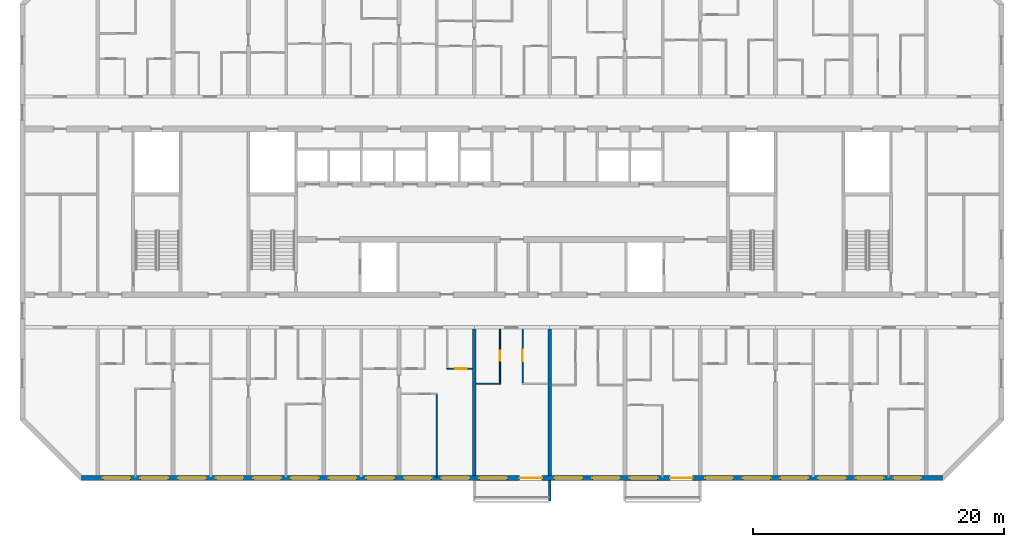
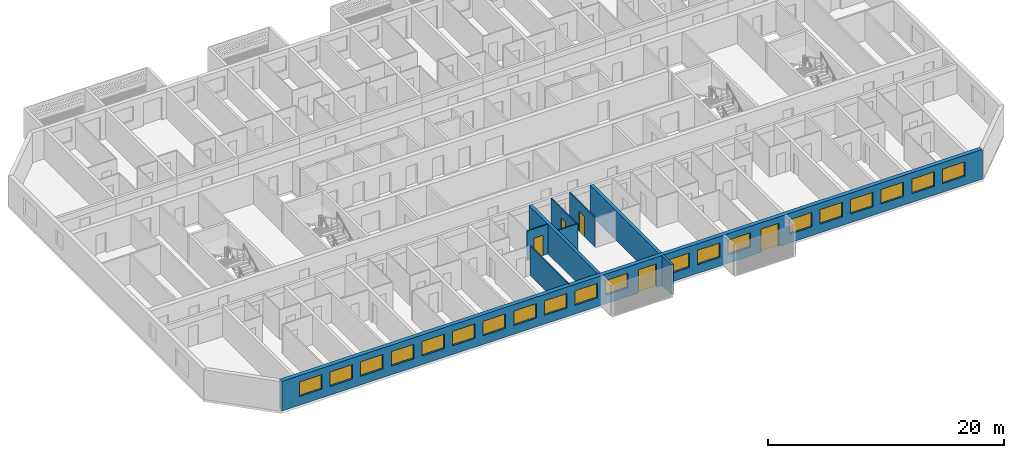
# One storey, part 4 of 31: 20 windows, 9 walls, 5 doors, 25 openings.
"""IFC4 building model written with IfcOpenShell, lengths in metres."""

from ifc_helpers import new_model, si_unit, direction, frame, frame_2d, origin, place, context, subcontext, project, spatial, polyline, rectangle, outline, extrude, source, transform, mapped, material, layer, layer_set, type_object, element, fill, save


model = new_model("IFC4")

# Units and contexts
model_context = context("Model", 3, precision=1e-05, world=origin(), true_north=direction((0.0, 1.0)))
body_context = subcontext(model_context, "Body", "Model", "MODEL_VIEW")
ifc_project = project(units=[si_unit("LENGTHUNIT", "METRE"), si_unit("AREAUNIT", "SQUARE_METRE"), si_unit("VOLUMEUNIT", "CUBIC_METRE"), si_unit("PLANEANGLEUNIT", "RADIAN"), si_unit("MASSUNIT", "GRAM", prefix="KILO")], contexts=[model_context])

# Site, building, storey
site_placement = place(None, origin())
site = spatial("IfcSite", under=ifc_project, at=site_placement, CompositionType="ELEMENT")
building_placement = place(site_placement, origin())
building = spatial("IfcBuilding", under=site, at=building_placement, Name="Poui Terraces", CompositionType="ELEMENT")
storey_placement = place(building_placement, frame((0.0, 0.0, 148.800048828125)))
storey = spatial("IfcBuildingStorey", under=building, at=storey_placement, Name="L41", CompositionType="ELEMENT", Elevation=148.800048828125)

# Walls
ifc_material_1 = material(Name="Concrete 65 MPa", Category="concrete")
ifc_layer_1 = layer(ifc_material_1, 0.300048828125)
ifc_layer_set_1 = layer_set([ifc_layer_1], Name="Concrete 65 MPa")
wall_type_1 = type_object("IfcWallType", Name="CROSS WALL 300 65MPa", PredefinedType="SHEAR", material=ifc_layer_set_1)
for number, where, z_axis, x_axis, name in (
    (1, (48.0, 0.199951171875, 0.0), (0.0, 0.0, 1.0), (0.0, 1.0, 0.0), "CROSS WALL LINE 9 SOUTH"),
    (2, (54.0, 0.199951171875, 0.0), (0.0, 0.0, 1.0), (0.0, 1.0, 0.0), "CROSS WALL LINE 10 SOUTH"),
):
    element("IfcWall", number, at=place(storey_placement, frame(where, z_axis=z_axis, x_axis=x_axis)), inside=storey, type_object=wall_type_1, Name=name, PredefinedType="SHEAR", context=body_context, shape_type="SweptSolid", body=[
        extrude(rectangle(XDim=11.675048828125, YDim=0.300048828125, at=frame_2d((5.83740234375, 0.0))), origin(), (0.0, 0.0, 1.0), 3.070068359375),
    ])

# Wall, openings, doors, windows
ifc_material_2 = material(Name="Precast concrete 40 MPa", Category="concrete")
ifc_layer_2 = layer(ifc_material_2, 0.39990234375)
ifc_layer_set_2 = layer_set([ifc_layer_2], Name="Precast concrete 40 MPa")
wall_type_2 = type_object("IfcWallType", Name="EXTERNAL WALL 400", PredefinedType="STANDARD", material=ifc_layer_set_2)
wall_1_placement = place(storey_placement, frame((16.682861328125, 0.0, 0.0), z_axis=(0.0, 0.0, 1.0), x_axis=(1.0, 0.0, 0.0)))
wall_1 = element("IfcWall", 3, at=wall_1_placement, inside=storey, type_object=wall_type_2, Name="EXTERNAL WALL S", PredefinedType="STANDARD", context=body_context, shape_type="SweptSolid", body=[
    extrude(rectangle(XDim=68.63427734375, YDim=0.39990234375, at=frame_2d((34.317138671875, 0.0))), origin(), (0.0, 0.0, 1.0), 3.070068359375),
])
opening_1_placement = place(wall_1_placement, frame((1.71728515625, 0.0, 0.89990234375)))
opening_1 = element("IfcOpeningElement", 4, at=opening_1_placement, cuts=wall_1, Name="Opening W1", PredefinedType="OPENING", context=body_context, shape_type="SweptSolid", body=[
    extrude(rectangle(XDim=2.199951171875, YDim=1.5, at=frame_2d((1.10009765625, 0.75))), frame((0.0, 0.2099609375, 0.0), z_axis=(0.0, -1.0, 0.0), x_axis=(1.0, 0.0, 0.0)), (0.0, 0.0, 1.0), 0.419921875),
])
opening_2_placement = place(wall_1_placement, frame((4.71728515625, 0.0, 0.89990234375)))
opening_2 = element("IfcOpeningElement", 5, at=opening_2_placement, cuts=wall_1, Name="Opening W1", PredefinedType="OPENING", context=body_context, shape_type="SweptSolid", body=[
    extrude(rectangle(XDim=2.199951171875, YDim=1.5, at=frame_2d((1.10009765625, 0.75))), frame((0.0, 0.2099609375, 0.0), z_axis=(0.0, -1.0, 0.0), x_axis=(1.0, 0.0, 0.0)), (0.0, 0.0, 1.0), 0.419921875),
])
opening_3_placement = place(wall_1_placement, frame((7.71728515625, 0.0, 0.89990234375)))
opening_3 = element("IfcOpeningElement", 6, at=opening_3_placement, cuts=wall_1, Name="Opening W1", PredefinedType="OPENING", context=body_context, shape_type="SweptSolid", body=[
    extrude(rectangle(XDim=2.199951171875, YDim=1.5, at=frame_2d((1.10009765625, 0.75))), frame((0.0, 0.2099609375, 0.0), z_axis=(0.0, -1.0, 0.0), x_axis=(1.0, 0.0, 0.0)), (0.0, 0.0, 1.0), 0.419921875),
])
opening_4_placement = place(wall_1_placement, frame((10.71728515625, 0.0, 0.89990234375)))
opening_4 = element("IfcOpeningElement", 7, at=opening_4_placement, cuts=wall_1, Name="Opening W1", PredefinedType="OPENING", context=body_context, shape_type="SweptSolid", body=[
    extrude(rectangle(XDim=2.199951171875, YDim=1.5, at=frame_2d((1.10009765625, 0.75))), frame((0.0, 0.2099609375, 0.0), z_axis=(0.0, -1.0, 0.0), x_axis=(1.0, 0.0, 0.0)), (0.0, 0.0, 1.0), 0.419921875),
])
opening_5_placement = place(wall_1_placement, frame((13.71728515625, 0.0, 0.89990234375)))
opening_5 = element("IfcOpeningElement", 8, at=opening_5_placement, cuts=wall_1, Name="Opening W1", PredefinedType="OPENING", context=body_context, shape_type="SweptSolid", body=[
    extrude(rectangle(XDim=2.199951171875, YDim=1.5, at=frame_2d((1.10009765625, 0.75))), frame((0.0, 0.2099609375, 0.0), z_axis=(0.0, -1.0, 0.0), x_axis=(1.0, 0.0, 0.0)), (0.0, 0.0, 1.0), 0.419921875),
])
opening_6_placement = place(wall_1_placement, frame((16.71728515625, 0.0, 0.89990234375)))
opening_6 = element("IfcOpeningElement", 9, at=opening_6_placement, cuts=wall_1, Name="Opening W1", PredefinedType="OPENING", context=body_context, shape_type="SweptSolid", body=[
    extrude(rectangle(XDim=2.199951171875, YDim=1.5, at=frame_2d((1.10009765625, 0.75))), frame((0.0, 0.2099609375, 0.0), z_axis=(0.0, -1.0, 0.0), x_axis=(1.0, 0.0, 0.0)), (0.0, 0.0, 1.0), 0.419921875),
])
opening_7_placement = place(wall_1_placement, frame((19.71728515625, 0.0, 0.89990234375)))
opening_7 = element("IfcOpeningElement", 10, at=opening_7_placement, cuts=wall_1, Name="Opening W1", PredefinedType="OPENING", context=body_context, shape_type="SweptSolid", body=[
    extrude(rectangle(XDim=2.199951171875, YDim=1.5, at=frame_2d((1.10009765625, 0.75))), frame((0.0, 0.2099609375, 0.0), z_axis=(0.0, -1.0, 0.0), x_axis=(1.0, 0.0, 0.0)), (0.0, 0.0, 1.0), 0.419921875),
])
opening_8_placement = place(wall_1_placement, frame((22.71728515625, 0.0, 0.89990234375)))
opening_8 = element("IfcOpeningElement", 11, at=opening_8_placement, cuts=wall_1, Name="Opening W1", PredefinedType="OPENING", context=body_context, shape_type="SweptSolid", body=[
    extrude(rectangle(XDim=2.199951171875, YDim=1.5, at=frame_2d((1.10009765625, 0.75))), frame((0.0, 0.2099609375, 0.0), z_axis=(0.0, -1.0, 0.0), x_axis=(1.0, 0.0, 0.0)), (0.0, 0.0, 1.0), 0.419921875),
])
opening_9_placement = place(wall_1_placement, frame((25.71728515625, 0.0, 0.89990234375)))
opening_9 = element("IfcOpeningElement", 12, at=opening_9_placement, cuts=wall_1, Name="Opening W1", PredefinedType="OPENING", context=body_context, shape_type="SweptSolid", body=[
    extrude(rectangle(XDim=2.199951171875, YDim=1.5, at=frame_2d((1.10009765625, 0.75))), frame((0.0, 0.2099609375, 0.0), z_axis=(0.0, -1.0, 0.0), x_axis=(1.0, 0.0, 0.0)), (0.0, 0.0, 1.0), 0.419921875),
])
opening_10_placement = place(wall_1_placement, frame((28.71728515625, 0.0, 0.89990234375)))
opening_10 = element("IfcOpeningElement", 13, at=opening_10_placement, cuts=wall_1, Name="Opening W1", PredefinedType="OPENING", context=body_context, shape_type="SweptSolid", body=[
    extrude(rectangle(XDim=2.199951171875, YDim=1.5, at=frame_2d((1.10009765625, 0.75))), frame((0.0, 0.2099609375, 0.0), z_axis=(0.0, -1.0, 0.0), x_axis=(1.0, 0.0, 0.0)), (0.0, 0.0, 1.0), 0.419921875),
])
opening_11_placement = place(wall_1_placement, frame((31.71728515625, 0.0, 0.89990234375)))
opening_11 = element("IfcOpeningElement", 14, at=opening_11_placement, cuts=wall_1, Name="Opening W1", PredefinedType="OPENING", context=body_context, shape_type="SweptSolid", body=[
    extrude(rectangle(XDim=2.199951171875, YDim=1.5, at=frame_2d((1.10009765625, 0.75))), frame((0.0, 0.2099609375, 0.0), z_axis=(0.0, -1.0, 0.0), x_axis=(1.0, 0.0, 0.0)), (0.0, 0.0, 1.0), 0.419921875),
])
opening_12_placement = place(wall_1_placement, frame((34.917236328125, 0.0, 0.0)))
opening_12 = element("IfcOpeningElement", 15, at=opening_12_placement, cuts=wall_1, Name="Opening BD1", PredefinedType="OPENING", context=body_context, shape_type="SweptSolid", body=[
    extrude(rectangle(XDim=1.800048828125, YDim=2.39990234375, at=frame_2d((0.89990234375, 1.199951171875))), frame((0.0, 0.2099609375, 0.0), z_axis=(0.0, -1.0, 0.0), x_axis=(1.0, 0.0, 0.0)), (0.0, 0.0, 1.0), 0.419921875),
])
opening_13_placement = place(wall_1_placement, frame((37.71728515625, 0.0, 0.89990234375)))
opening_13 = element("IfcOpeningElement", 16, at=opening_13_placement, cuts=wall_1, Name="Opening W1", PredefinedType="OPENING", context=body_context, shape_type="SweptSolid", body=[
    extrude(rectangle(XDim=2.199951171875, YDim=1.5, at=frame_2d((1.10009765625, 0.75))), frame((0.0, 0.2099609375, 0.0), z_axis=(0.0, -1.0, 0.0), x_axis=(1.0, 0.0, 0.0)), (0.0, 0.0, 1.0), 0.419921875),
])
opening_14_placement = place(wall_1_placement, frame((40.71728515625, 0.0, 0.89990234375)))
opening_14 = element("IfcOpeningElement", 17, at=opening_14_placement, cuts=wall_1, Name="Opening W1", PredefinedType="OPENING", context=body_context, shape_type="SweptSolid", body=[
    extrude(rectangle(XDim=2.199951171875, YDim=1.5, at=frame_2d((1.10009765625, 0.75))), frame((0.0, 0.2099609375, 0.0), z_axis=(0.0, -1.0, 0.0), x_axis=(1.0, 0.0, 0.0)), (0.0, 0.0, 1.0), 0.419921875),
])
opening_15_placement = place(wall_1_placement, frame((43.71728515625, 0.0, 0.89990234375)))
opening_15 = element("IfcOpeningElement", 18, at=opening_15_placement, cuts=wall_1, Name="Opening W1", PredefinedType="OPENING", context=body_context, shape_type="SweptSolid", body=[
    extrude(rectangle(XDim=2.199951171875, YDim=1.5, at=frame_2d((1.10009765625, 0.75))), frame((0.0, 0.2099609375, 0.0), z_axis=(0.0, -1.0, 0.0), x_axis=(1.0, 0.0, 0.0)), (0.0, 0.0, 1.0), 0.419921875),
])
opening_16_placement = place(wall_1_placement, frame((46.917236328125, 0.0, 0.0)))
opening_16 = element("IfcOpeningElement", 19, at=opening_16_placement, cuts=wall_1, Name="Opening BD1", PredefinedType="OPENING", context=body_context, shape_type="SweptSolid", body=[
    extrude(rectangle(XDim=1.800048828125, YDim=2.39990234375, at=frame_2d((0.89990234375, 1.199951171875))), frame((0.0, 0.2099609375, 0.0), z_axis=(0.0, -1.0, 0.0), x_axis=(1.0, 0.0, 0.0)), (0.0, 0.0, 1.0), 0.419921875),
])
opening_17_placement = place(wall_1_placement, frame((49.71728515625, 0.0, 0.89990234375)))
opening_17 = element("IfcOpeningElement", 20, at=opening_17_placement, cuts=wall_1, Name="Opening W1", PredefinedType="OPENING", context=body_context, shape_type="SweptSolid", body=[
    extrude(rectangle(XDim=2.199951171875, YDim=1.5, at=frame_2d((1.10009765625, 0.75))), frame((0.0, 0.2099609375, 0.0), z_axis=(0.0, -1.0, 0.0), x_axis=(1.0, 0.0, 0.0)), (0.0, 0.0, 1.0), 0.419921875),
])
opening_18_placement = place(wall_1_placement, frame((52.71728515625, 0.0, 0.89990234375)))
opening_18 = element("IfcOpeningElement", 21, at=opening_18_placement, cuts=wall_1, Name="Opening W1", PredefinedType="OPENING", context=body_context, shape_type="SweptSolid", body=[
    extrude(rectangle(XDim=2.199951171875, YDim=1.5, at=frame_2d((1.10009765625, 0.75))), frame((0.0, 0.2099609375, 0.0), z_axis=(0.0, -1.0, 0.0), x_axis=(1.0, 0.0, 0.0)), (0.0, 0.0, 1.0), 0.419921875),
])
opening_19_placement = place(wall_1_placement, frame((55.71728515625, 0.0, 0.89990234375)))
opening_19 = element("IfcOpeningElement", 22, at=opening_19_placement, cuts=wall_1, Name="Opening W1", PredefinedType="OPENING", context=body_context, shape_type="SweptSolid", body=[
    extrude(rectangle(XDim=2.199951171875, YDim=1.5, at=frame_2d((1.10009765625, 0.75))), frame((0.0, 0.2099609375, 0.0), z_axis=(0.0, -1.0, 0.0), x_axis=(1.0, 0.0, 0.0)), (0.0, 0.0, 1.0), 0.419921875),
])
opening_20_placement = place(wall_1_placement, frame((58.71728515625, 0.0, 0.89990234375)))
opening_20 = element("IfcOpeningElement", 23, at=opening_20_placement, cuts=wall_1, Name="Opening W1", PredefinedType="OPENING", context=body_context, shape_type="SweptSolid", body=[
    extrude(rectangle(XDim=2.199951171875, YDim=1.5, at=frame_2d((1.10009765625, 0.75))), frame((0.0, 0.2099609375, 0.0), z_axis=(0.0, -1.0, 0.0), x_axis=(1.0, 0.0, 0.0)), (0.0, 0.0, 1.0), 0.419921875),
])
opening_21_placement = place(wall_1_placement, frame((61.71728515625, 0.0, 0.89990234375)))
opening_21 = element("IfcOpeningElement", 24, at=opening_21_placement, cuts=wall_1, Name="Opening W1", PredefinedType="OPENING", context=body_context, shape_type="SweptSolid", body=[
    extrude(rectangle(XDim=2.199951171875, YDim=1.5, at=frame_2d((1.10009765625, 0.75))), frame((0.0, 0.2099609375, 0.0), z_axis=(0.0, -1.0, 0.0), x_axis=(1.0, 0.0, 0.0)), (0.0, 0.0, 1.0), 0.419921875),
])
opening_22_placement = place(wall_1_placement, frame((64.71728515625, 0.0, 0.89990234375)))
opening_22 = element("IfcOpeningElement", 25, at=opening_22_placement, cuts=wall_1, Name="Opening W1", PredefinedType="OPENING", context=body_context, shape_type="SweptSolid", body=[
    extrude(rectangle(XDim=2.199951171875, YDim=1.5, at=frame_2d((1.10009765625, 0.75))), frame((0.0, 0.2099609375, 0.0), z_axis=(0.0, -1.0, 0.0), x_axis=(1.0, 0.0, 0.0)), (0.0, 0.0, 1.0), 0.419921875),
])
ifc_material_3 = material(Name="Clear glass in aluminium frame", Category="aluminium")
door_type_1 = type_object("IfcDoorType", Name="BALCONY DOOR 1800X2400", OperationType="DOUBLE_DOOR_SLIDING", PredefinedType="DOOR", material=ifc_material_3)
door_1_placement = place(opening_12_placement, origin())
door_1 = element("IfcDoor", 26, at=door_1_placement, inside=storey, type_object=door_type_1, Name="BD1 BALCONY DOOR", OperationType="DOUBLE_DOOR_SLIDING", OverallHeight=2.39990234375, OverallWidth=1.800048828125, PredefinedType="DOOR", context=body_context, shape_type="SweptSolid", body=[
    extrude(rectangle(XDim=1.800048828125, YDim=2.39990234375, at=frame_2d((0.89990234375, 1.199951171875))), frame((0.0, 0.02490234375, 0.0), z_axis=(0.0, -1.0, 0.0), x_axis=(1.0, 0.0, 0.0)), (0.0, 0.0, 1.0), 0.050048828125),
])
fill(opening_12, door_1)
door_2_placement = place(opening_16_placement, origin())
door_2 = element("IfcDoor", 27, at=door_2_placement, inside=storey, type_object=door_type_1, Name="BD1 BALCONY DOOR", OperationType="DOUBLE_DOOR_SLIDING", OverallHeight=2.39990234375, OverallWidth=1.800048828125, PredefinedType="DOOR", context=body_context, shape_type="SweptSolid", body=[
    extrude(rectangle(XDim=1.800048828125, YDim=2.39990234375, at=frame_2d((0.89990234375, 1.199951171875))), frame((0.0, 0.02490234375, 0.0), z_axis=(0.0, -1.0, 0.0), x_axis=(1.0, 0.0, 0.0)), (0.0, 0.0, 1.0), 0.050048828125),
])
fill(opening_16, door_2)
window_type = type_object("IfcWindowType", Name="WINDOW 2200X1500", PartitioningType="DOUBLE_PANEL_HORIZONTAL", PredefinedType="WINDOW", material=ifc_material_3)
window_1_placement = place(opening_1_placement, origin())
window_1 = element("IfcWindow", 28, at=window_1_placement, inside=storey, type_object=window_type, Name="W1 WINDOW", OverallHeight=1.5, OverallWidth=2.199951171875, PartitioningType="DOUBLE_PANEL_HORIZONTAL", PredefinedType="WINDOW", context=body_context, shape_type="SweptSolid", body=[
    extrude(rectangle(XDim=2.199951171875, YDim=1.5, at=frame_2d((1.10009765625, 0.75))), frame((0.0, 0.030029296875, 0.0), z_axis=(0.0, -1.0, 0.0), x_axis=(1.0, 0.0, 0.0)), (0.0, 0.0, 1.0), 0.06005859375),
])
fill(opening_1, window_1)
window_2_placement = place(opening_2_placement, origin())
window_2 = element("IfcWindow", 29, at=window_2_placement, inside=storey, type_object=window_type, Name="W1 WINDOW", OverallHeight=1.5, OverallWidth=2.199951171875, PartitioningType="DOUBLE_PANEL_HORIZONTAL", PredefinedType="WINDOW", context=body_context, shape_type="SweptSolid", body=[
    extrude(rectangle(XDim=2.199951171875, YDim=1.5, at=frame_2d((1.10009765625, 0.75))), frame((0.0, 0.030029296875, 0.0), z_axis=(0.0, -1.0, 0.0), x_axis=(1.0, 0.0, 0.0)), (0.0, 0.0, 1.0), 0.06005859375),
])
fill(opening_2, window_2)
window_3_placement = place(opening_3_placement, origin())
window_3 = element("IfcWindow", 30, at=window_3_placement, inside=storey, type_object=window_type, Name="W1 WINDOW", OverallHeight=1.5, OverallWidth=2.199951171875, PartitioningType="DOUBLE_PANEL_HORIZONTAL", PredefinedType="WINDOW", context=body_context, shape_type="SweptSolid", body=[
    extrude(rectangle(XDim=2.199951171875, YDim=1.5, at=frame_2d((1.10009765625, 0.75))), frame((0.0, 0.030029296875, 0.0), z_axis=(0.0, -1.0, 0.0), x_axis=(1.0, 0.0, 0.0)), (0.0, 0.0, 1.0), 0.06005859375),
])
fill(opening_3, window_3)
window_4_placement = place(opening_4_placement, origin())
window_4 = element("IfcWindow", 31, at=window_4_placement, inside=storey, type_object=window_type, Name="W1 WINDOW", OverallHeight=1.5, OverallWidth=2.199951171875, PartitioningType="DOUBLE_PANEL_HORIZONTAL", PredefinedType="WINDOW", context=body_context, shape_type="SweptSolid", body=[
    extrude(rectangle(XDim=2.199951171875, YDim=1.5, at=frame_2d((1.10009765625, 0.75))), frame((0.0, 0.030029296875, 0.0), z_axis=(0.0, -1.0, 0.0), x_axis=(1.0, 0.0, 0.0)), (0.0, 0.0, 1.0), 0.06005859375),
])
fill(opening_4, window_4)
window_5_placement = place(opening_5_placement, origin())
window_5 = element("IfcWindow", 32, at=window_5_placement, inside=storey, type_object=window_type, Name="W1 WINDOW", OverallHeight=1.5, OverallWidth=2.199951171875, PartitioningType="DOUBLE_PANEL_HORIZONTAL", PredefinedType="WINDOW", context=body_context, shape_type="SweptSolid", body=[
    extrude(rectangle(XDim=2.199951171875, YDim=1.5, at=frame_2d((1.10009765625, 0.75))), frame((0.0, 0.030029296875, 0.0), z_axis=(0.0, -1.0, 0.0), x_axis=(1.0, 0.0, 0.0)), (0.0, 0.0, 1.0), 0.06005859375),
])
fill(opening_5, window_5)
window_6_placement = place(opening_6_placement, origin())
window_6 = element("IfcWindow", 33, at=window_6_placement, inside=storey, type_object=window_type, Name="W1 WINDOW", OverallHeight=1.5, OverallWidth=2.199951171875, PartitioningType="DOUBLE_PANEL_HORIZONTAL", PredefinedType="WINDOW", context=body_context, shape_type="SweptSolid", body=[
    extrude(rectangle(XDim=2.199951171875, YDim=1.5, at=frame_2d((1.10009765625, 0.75))), frame((0.0, 0.030029296875, 0.0), z_axis=(0.0, -1.0, 0.0), x_axis=(1.0, 0.0, 0.0)), (0.0, 0.0, 1.0), 0.06005859375),
])
fill(opening_6, window_6)
window_7_placement = place(opening_7_placement, origin())
window_7 = element("IfcWindow", 34, at=window_7_placement, inside=storey, type_object=window_type, Name="W1 WINDOW", OverallHeight=1.5, OverallWidth=2.199951171875, PartitioningType="DOUBLE_PANEL_HORIZONTAL", PredefinedType="WINDOW", context=body_context, shape_type="SweptSolid", body=[
    extrude(rectangle(XDim=2.199951171875, YDim=1.5, at=frame_2d((1.10009765625, 0.75))), frame((0.0, 0.030029296875, 0.0), z_axis=(0.0, -1.0, 0.0), x_axis=(1.0, 0.0, 0.0)), (0.0, 0.0, 1.0), 0.06005859375),
])
fill(opening_7, window_7)
window_8_placement = place(opening_8_placement, origin())
window_8 = element("IfcWindow", 35, at=window_8_placement, inside=storey, type_object=window_type, Name="W1 WINDOW", OverallHeight=1.5, OverallWidth=2.199951171875, PartitioningType="DOUBLE_PANEL_HORIZONTAL", PredefinedType="WINDOW", context=body_context, shape_type="SweptSolid", body=[
    extrude(rectangle(XDim=2.199951171875, YDim=1.5, at=frame_2d((1.10009765625, 0.75))), frame((0.0, 0.030029296875, 0.0), z_axis=(0.0, -1.0, 0.0), x_axis=(1.0, 0.0, 0.0)), (0.0, 0.0, 1.0), 0.06005859375),
])
fill(opening_8, window_8)
window_9_placement = place(opening_9_placement, origin())
window_9 = element("IfcWindow", 36, at=window_9_placement, inside=storey, type_object=window_type, Name="W1 WINDOW", OverallHeight=1.5, OverallWidth=2.199951171875, PartitioningType="DOUBLE_PANEL_HORIZONTAL", PredefinedType="WINDOW", context=body_context, shape_type="SweptSolid", body=[
    extrude(rectangle(XDim=2.199951171875, YDim=1.5, at=frame_2d((1.10009765625, 0.75))), frame((0.0, 0.030029296875, 0.0), z_axis=(0.0, -1.0, 0.0), x_axis=(1.0, 0.0, 0.0)), (0.0, 0.0, 1.0), 0.06005859375),
])
fill(opening_9, window_9)
window_10_placement = place(opening_10_placement, origin())
window_10 = element("IfcWindow", 37, at=window_10_placement, inside=storey, type_object=window_type, Name="W1 WINDOW", OverallHeight=1.5, OverallWidth=2.199951171875, PartitioningType="DOUBLE_PANEL_HORIZONTAL", PredefinedType="WINDOW", context=body_context, shape_type="SweptSolid", body=[
    extrude(rectangle(XDim=2.199951171875, YDim=1.5, at=frame_2d((1.10009765625, 0.75))), frame((0.0, 0.030029296875, 0.0), z_axis=(0.0, -1.0, 0.0), x_axis=(1.0, 0.0, 0.0)), (0.0, 0.0, 1.0), 0.06005859375),
])
fill(opening_10, window_10)
window_11_placement = place(opening_11_placement, origin())
window_11 = element("IfcWindow", 38, at=window_11_placement, inside=storey, type_object=window_type, Name="W1 WINDOW", OverallHeight=1.5, OverallWidth=2.199951171875, PartitioningType="DOUBLE_PANEL_HORIZONTAL", PredefinedType="WINDOW", context=body_context, shape_type="SweptSolid", body=[
    extrude(rectangle(XDim=2.199951171875, YDim=1.5, at=frame_2d((1.10009765625, 0.75))), frame((0.0, 0.030029296875, 0.0), z_axis=(0.0, -1.0, 0.0), x_axis=(1.0, 0.0, 0.0)), (0.0, 0.0, 1.0), 0.06005859375),
])
fill(opening_11, window_11)
window_12_placement = place(opening_13_placement, origin())
window_12 = element("IfcWindow", 39, at=window_12_placement, inside=storey, type_object=window_type, Name="W1 WINDOW", OverallHeight=1.5, OverallWidth=2.199951171875, PartitioningType="DOUBLE_PANEL_HORIZONTAL", PredefinedType="WINDOW", context=body_context, shape_type="SweptSolid", body=[
    extrude(rectangle(XDim=2.199951171875, YDim=1.5, at=frame_2d((1.10009765625, 0.75))), frame((0.0, 0.030029296875, 0.0), z_axis=(0.0, -1.0, 0.0), x_axis=(1.0, 0.0, 0.0)), (0.0, 0.0, 1.0), 0.06005859375),
])
fill(opening_13, window_12)
window_13_placement = place(opening_14_placement, origin())
window_13 = element("IfcWindow", 40, at=window_13_placement, inside=storey, type_object=window_type, Name="W1 WINDOW", OverallHeight=1.5, OverallWidth=2.199951171875, PartitioningType="DOUBLE_PANEL_HORIZONTAL", PredefinedType="WINDOW", context=body_context, shape_type="SweptSolid", body=[
    extrude(rectangle(XDim=2.199951171875, YDim=1.5, at=frame_2d((1.10009765625, 0.75))), frame((0.0, 0.030029296875, 0.0), z_axis=(0.0, -1.0, 0.0), x_axis=(1.0, 0.0, 0.0)), (0.0, 0.0, 1.0), 0.06005859375),
])
fill(opening_14, window_13)
window_14_placement = place(opening_15_placement, origin())
window_14 = element("IfcWindow", 41, at=window_14_placement, inside=storey, type_object=window_type, Name="W1 WINDOW", OverallHeight=1.5, OverallWidth=2.199951171875, PartitioningType="DOUBLE_PANEL_HORIZONTAL", PredefinedType="WINDOW", context=body_context, shape_type="SweptSolid", body=[
    extrude(rectangle(XDim=2.199951171875, YDim=1.5, at=frame_2d((1.10009765625, 0.75))), frame((0.0, 0.030029296875, 0.0), z_axis=(0.0, -1.0, 0.0), x_axis=(1.0, 0.0, 0.0)), (0.0, 0.0, 1.0), 0.06005859375),
])
fill(opening_15, window_14)
window_15_placement = place(opening_17_placement, origin())
window_15 = element("IfcWindow", 42, at=window_15_placement, inside=storey, type_object=window_type, Name="W1 WINDOW", OverallHeight=1.5, OverallWidth=2.199951171875, PartitioningType="DOUBLE_PANEL_HORIZONTAL", PredefinedType="WINDOW", context=body_context, shape_type="SweptSolid", body=[
    extrude(rectangle(XDim=2.199951171875, YDim=1.5, at=frame_2d((1.10009765625, 0.75))), frame((0.0, 0.030029296875, 0.0), z_axis=(0.0, -1.0, 0.0), x_axis=(1.0, 0.0, 0.0)), (0.0, 0.0, 1.0), 0.06005859375),
])
fill(opening_17, window_15)
window_16_placement = place(opening_18_placement, origin())
window_16 = element("IfcWindow", 43, at=window_16_placement, inside=storey, type_object=window_type, Name="W1 WINDOW", OverallHeight=1.5, OverallWidth=2.199951171875, PartitioningType="DOUBLE_PANEL_HORIZONTAL", PredefinedType="WINDOW", context=body_context, shape_type="SweptSolid", body=[
    extrude(rectangle(XDim=2.199951171875, YDim=1.5, at=frame_2d((1.10009765625, 0.75))), frame((0.0, 0.030029296875, 0.0), z_axis=(0.0, -1.0, 0.0), x_axis=(1.0, 0.0, 0.0)), (0.0, 0.0, 1.0), 0.06005859375),
])
fill(opening_18, window_16)
window_17_placement = place(opening_19_placement, origin())
window_17 = element("IfcWindow", 44, at=window_17_placement, inside=storey, type_object=window_type, Name="W1 WINDOW", OverallHeight=1.5, OverallWidth=2.199951171875, PartitioningType="DOUBLE_PANEL_HORIZONTAL", PredefinedType="WINDOW", context=body_context, shape_type="SweptSolid", body=[
    extrude(rectangle(XDim=2.199951171875, YDim=1.5, at=frame_2d((1.10009765625, 0.75))), frame((0.0, 0.030029296875, 0.0), z_axis=(0.0, -1.0, 0.0), x_axis=(1.0, 0.0, 0.0)), (0.0, 0.0, 1.0), 0.06005859375),
])
fill(opening_19, window_17)
window_18_placement = place(opening_20_placement, origin())
window_18 = element("IfcWindow", 45, at=window_18_placement, inside=storey, type_object=window_type, Name="W1 WINDOW", OverallHeight=1.5, OverallWidth=2.199951171875, PartitioningType="DOUBLE_PANEL_HORIZONTAL", PredefinedType="WINDOW", context=body_context, shape_type="SweptSolid", body=[
    extrude(rectangle(XDim=2.199951171875, YDim=1.5, at=frame_2d((1.10009765625, 0.75))), frame((0.0, 0.030029296875, 0.0), z_axis=(0.0, -1.0, 0.0), x_axis=(1.0, 0.0, 0.0)), (0.0, 0.0, 1.0), 0.06005859375),
])
fill(opening_20, window_18)
window_19_placement = place(opening_21_placement, origin())
window_19 = element("IfcWindow", 46, at=window_19_placement, inside=storey, type_object=window_type, Name="W1 WINDOW", OverallHeight=1.5, OverallWidth=2.199951171875, PartitioningType="DOUBLE_PANEL_HORIZONTAL", PredefinedType="WINDOW", context=body_context, shape_type="SweptSolid", body=[
    extrude(rectangle(XDim=2.199951171875, YDim=1.5, at=frame_2d((1.10009765625, 0.75))), frame((0.0, 0.030029296875, 0.0), z_axis=(0.0, -1.0, 0.0), x_axis=(1.0, 0.0, 0.0)), (0.0, 0.0, 1.0), 0.06005859375),
])
fill(opening_21, window_19)
window_20_placement = place(opening_22_placement, origin())
window_20 = element("IfcWindow", 47, at=window_20_placement, inside=storey, type_object=window_type, Name="W1 WINDOW", OverallHeight=1.5, OverallWidth=2.199951171875, PartitioningType="DOUBLE_PANEL_HORIZONTAL", PredefinedType="WINDOW", context=body_context, shape_type="SweptSolid", body=[
    extrude(rectangle(XDim=2.199951171875, YDim=1.5, at=frame_2d((1.10009765625, 0.75))), frame((0.0, 0.030029296875, 0.0), z_axis=(0.0, -1.0, 0.0), x_axis=(1.0, 0.0, 0.0)), (0.0, 0.0, 1.0), 0.06005859375),
])
fill(opening_22, window_20)

# Wall
ifc_material_4 = material(Name="Plasterboard partition")
ifc_layer_3 = layer(ifc_material_4, 0.10009765625)
ifc_layer_set_3 = layer_set([ifc_layer_3], Name="Plasterboard partition")
wall_type_3 = type_object("IfcWallType", Name="FLAT PARTITION 100", PredefinedType="PARTITIONING", material=ifc_layer_set_3)
wall_2_placement = place(storey_placement, frame((48.159912109375, 7.5, 0.0), z_axis=(0.0, 0.0, 1.0), x_axis=(1.0, 0.0, 0.0)))
element("IfcWall", 48, at=wall_2_placement, inside=storey, type_object=wall_type_3, Name="FLAT PARTITION 100", PredefinedType="PARTITIONING", context=body_context, shape_type="SweptSolid", body=[
    extrude(rectangle(XDim=1.940185546875, YDim=0.10009765625, at=frame_2d((0.97021484375, 0.0))), origin(), (0.0, 0.0, 1.0), 3.070068359375),
])

# Wall, opening, door
wall_3_placement = place(storey_placement, frame((45.800048828125, 8.699951171875, 0.0), z_axis=(0.0, 0.0, 1.0), x_axis=(1.0, 0.0, 0.0)))
wall_3 = element("IfcWall", 49, at=wall_3_placement, inside=storey, type_object=wall_type_3, Name="FLAT PARTITION 100", PredefinedType="PARTITIONING", context=body_context, shape_type="SweptSolid", body=[
    extrude(rectangle(XDim=2.0400390625, YDim=0.10009765625, at=frame_2d((1.02001953125, 0.0))), origin(), (0.0, 0.0, 1.0), 3.070068359375),
])
opening_23_placement = place(wall_3_placement, frame((0.675048828125, 0.0, 0.0)))
opening_23 = element("IfcOpeningElement", 50, at=opening_23_placement, cuts=wall_3, Name="Opening D90", PredefinedType="OPENING", context=body_context, shape_type="SweptSolid", body=[
    extrude(rectangle(XDim=0.89990234375, YDim=2.10009765625, at=frame_2d((0.449951171875, 1.050048828125))), frame((0.0, 0.06005859375, 0.0), z_axis=(0.0, -1.0, 0.0), x_axis=(1.0, 0.0, 0.0)), (0.0, 0.0, 1.0), 0.1201171875),
])
ifc_material_5 = material(Name="Solid core timber door", Category="wood")
door_type_2 = type_object("IfcDoorType", Name="INTERNAL DOOR 900 X 2100", OperationType="NOTDEFINED", PredefinedType="DOOR", material=ifc_material_5)
door_3_placement = place(opening_23_placement, origin())
door_3 = element("IfcDoor", 51, at=door_3_placement, inside=storey, type_object=door_type_2, Name="INTERNAL DOOR 097", OperationType="SINGLE_SWING_LEFT", OverallHeight=2.10009765625, OverallWidth=0.89990234375, PredefinedType="DOOR", context=body_context, shape_type="SweptSolid", body=[
    extrude(rectangle(XDim=0.89990234375, YDim=2.10009765625, at=frame_2d((0.449951171875, 1.050048828125))), frame((0.0, 0.02490234375, 0.0), z_axis=(0.0, -1.0, 0.0), x_axis=(1.0, 0.0, 0.0)), (0.0, 0.0, 1.0), 0.050048828125),
])
fill(opening_23, door_3)

# Wall
wall_4_placement = place(storey_placement, frame((45.0, 0.06005859375, 0.0), z_axis=(0.0, 0.0, 1.0), x_axis=(0.0, 1.0, 0.0)))
element("IfcWall", 52, at=wall_4_placement, inside=storey, type_object=wall_type_3, Name="FLAT PARTITION 100", PredefinedType="PARTITIONING", context=body_context, shape_type="SweptSolid", body=[
    extrude(rectangle(XDim=6.58984375, YDim=0.10009765625, at=frame_2d((3.294921875, 0.0))), origin(), (0.0, 0.0, 1.0), 3.070068359375),
])

# Wall, opening, door
wall_5_placement = place(storey_placement, frame((50.050048828125, 7.550048828125, 0.0), z_axis=(0.0, 0.0, 1.0), x_axis=(0.0, 1.0, 0.0)))
wall_5 = element("IfcWall", 53, at=wall_5_placement, inside=storey, type_object=wall_type_3, Name="FLAT PARTITION 100", PredefinedType="PARTITIONING", context=body_context, shape_type="SweptSolid", body=[
    extrude(rectangle(XDim=4.31494140625, YDim=0.10009765625, at=frame_2d((2.157470703125, 0.0))), origin(), (0.0, 0.0, 1.0), 3.070068359375),
])
opening_24_placement = place(wall_5_placement, frame((1.800048828125, 0.0, 0.0)))
opening_24 = element("IfcOpeningElement", 54, at=opening_24_placement, cuts=wall_5, Name="Opening D80", PredefinedType="OPENING", context=body_context, shape_type="SweptSolid", body=[
    extrude(rectangle(XDim=0.800048828125, YDim=2.10009765625, at=frame_2d((0.39990234375, 1.050048828125))), frame((0.0, 0.06005859375, 0.0), z_axis=(0.0, -1.0, 0.0), x_axis=(1.0, 0.0, 0.0)), (0.0, 0.0, 1.0), 0.1201171875),
])
door_type_3 = type_object("IfcDoorType", Name="BATHROOM, LAUNDRY AND STORE DOOR 800 X 2100", OperationType="NOTDEFINED", PredefinedType="DOOR", material=ifc_material_5)
door_4_placement = place(opening_24_placement, origin())
door_4 = element("IfcDoor", 55, at=door_4_placement, inside=storey, type_object=door_type_3, Name="BATHROOM, LAUNDRY AND STORE DOOR 098", OperationType="SINGLE_SWING_RIGHT", OverallHeight=2.10009765625, OverallWidth=0.800048828125, PredefinedType="DOOR", context=body_context, shape_type="SweptSolid", body=[
    extrude(rectangle(XDim=0.800048828125, YDim=2.10009765625, at=frame_2d((0.39990234375, 1.050048828125))), frame((0.0, 0.02490234375, 0.0), z_axis=(0.0, -1.0, 0.0), x_axis=(1.0, 0.0, 0.0)), (0.0, 0.0, 1.0), 0.050048828125),
])
fill(opening_24, door_4)

wall_6_placement = place(storey_placement, frame((51.85009765625, 7.550048828125, 0.0), z_axis=(0.0, 0.0, 1.0), x_axis=(0.0, 1.0, 0.0)))
wall_6 = element("IfcWall", 56, at=wall_6_placement, inside=storey, type_object=wall_type_3, Name="FLAT PARTITION 100", PredefinedType="PARTITIONING", context=body_context, shape_type="SweptSolid", body=[
    extrude(rectangle(XDim=4.31494140625, YDim=0.10009765625, at=frame_2d((2.157470703125, 0.0))), origin(), (0.0, 0.0, 1.0), 3.070068359375),
])
opening_25_placement = place(wall_6_placement, frame((1.75, 0.0, 0.0)))
opening_25 = element("IfcOpeningElement", 57, at=opening_25_placement, cuts=wall_6, Name="Opening D90", PredefinedType="OPENING", context=body_context, shape_type="SweptSolid", body=[
    extrude(rectangle(XDim=0.89990234375, YDim=2.10009765625, at=frame_2d((0.449951171875, 1.050048828125))), frame((0.0, 0.06005859375, 0.0), z_axis=(0.0, -1.0, 0.0), x_axis=(1.0, 0.0, 0.0)), (0.0, 0.0, 1.0), 0.1201171875),
])
door_5_placement = place(opening_25_placement, frame((0.89990234375, 0.0, 0.0), z_axis=(0.0, 0.0, 1.0), x_axis=(-1.0, 0.0, 0.0)))
door_5 = element("IfcDoor", 58, at=door_5_placement, inside=storey, type_object=door_type_2, Name="INTERNAL DOOR 100", OperationType="SINGLE_SWING_RIGHT", OverallHeight=2.10009765625, OverallWidth=0.89990234375, PredefinedType="DOOR", context=body_context, shape_type="SweptSolid", body=[
    extrude(rectangle(XDim=0.89990234375, YDim=2.10009765625, at=frame_2d((0.449951171875, 1.050048828125))), frame((0.0, 0.02490234375, 0.0), z_axis=(0.0, -1.0, 0.0), x_axis=(1.0, 0.0, 0.0)), (0.0, 0.0, 1.0), 0.050048828125),
])
fill(opening_25, door_5)

# Wall
ifc_layer_4 = layer(ifc_material_2, 0.199951171875)
ifc_layer_set_4 = layer_set([ifc_layer_4], Name="Precast concrete 40 MPa")
wall_type_4 = type_object("IfcWallType", Name="REAR FIN 200", PredefinedType="STANDARD", material=ifc_layer_set_4)
shared_shape = source(origin(), body_context, "Body", "SweptSolid", [
    extrude(outline(polyline([(0.0, 0.0), (0.2001953125, 0.0), (0.2001953125, 1.650146484375), (0.0, 1.650146484375), (0.0, 0.0)])), origin(), (0.0, 0.0, 1.0), 3.099853515625),
])
wall_7_placement = place(storey_placement, frame((53.89990234375, -1.85009765625, 0.0)))
element("IfcWall", 59, at=wall_7_placement, inside=storey, type_object=wall_type_4, Name="REAR FIN", PredefinedType="STANDARD", context=body_context, shape_type="MappedRepresentation", body=[
    mapped(shared_shape, transform((0.0, 0.0, 0.0))),
])

save(model, "model.ifc")
